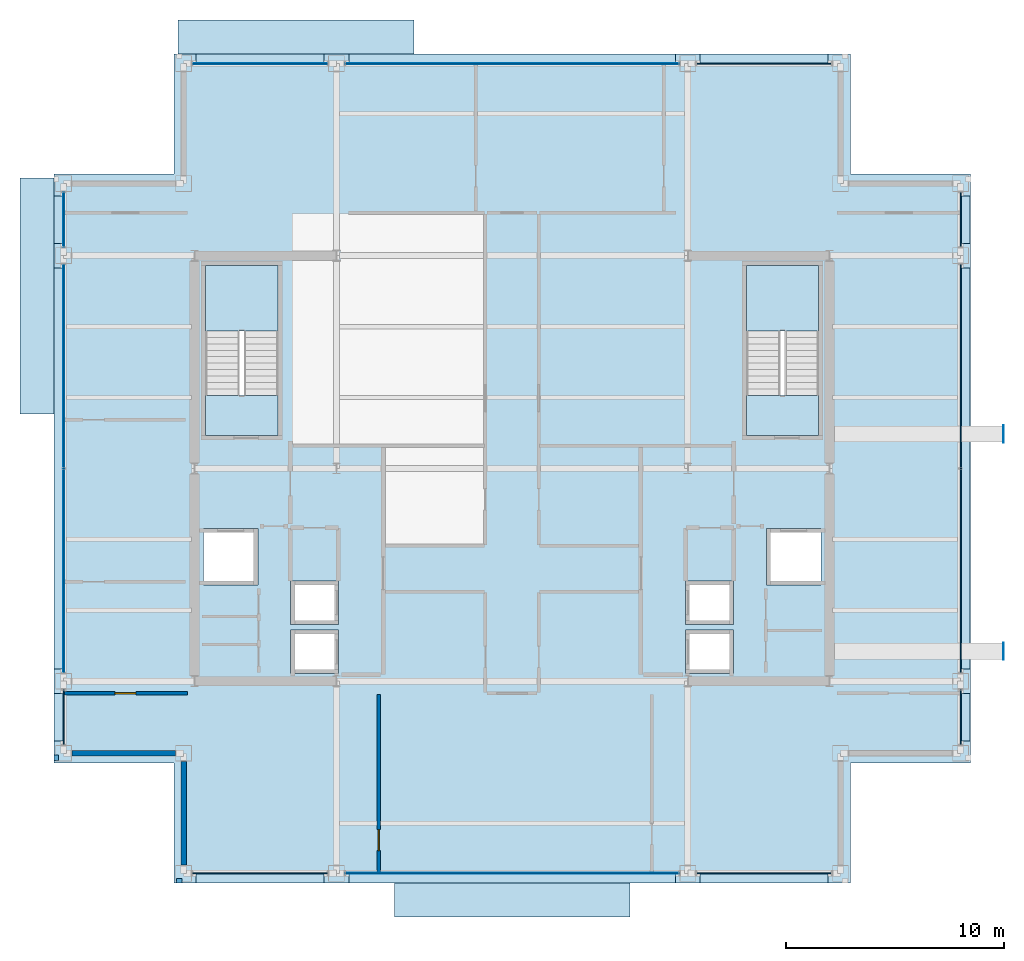
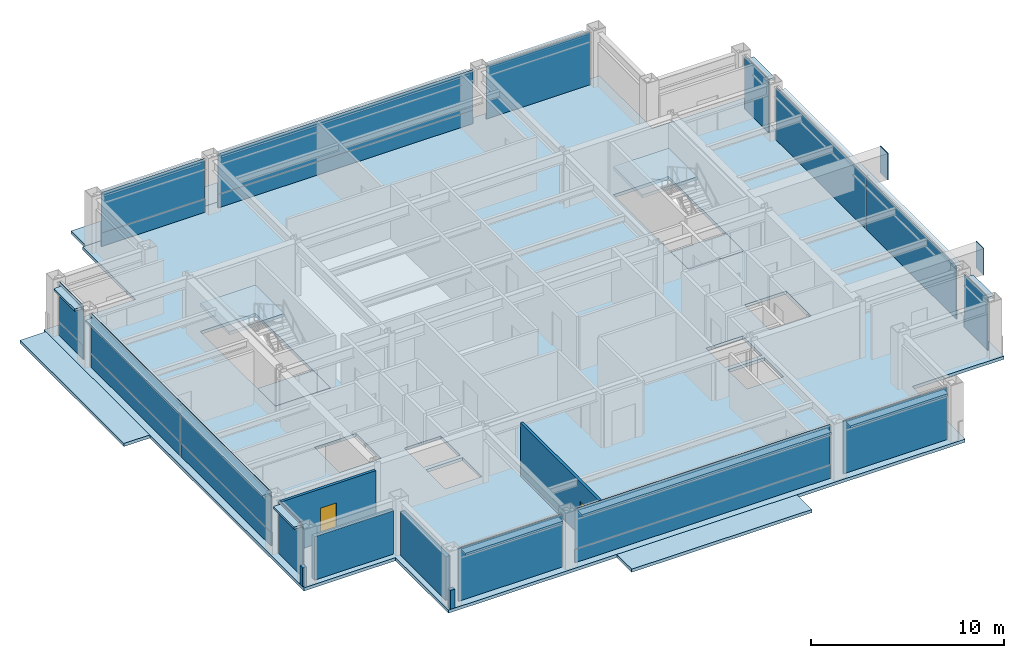
# One storey, part 22 of 26: 34 plates, 8 slabs, 6 walls, 2 doors, 2 openings, 14 elements without a shape of their own.
"""IFC4 building model written with IfcOpenShell, lengths in metres."""

from ifc_helpers import new_model, si_unit, direction, frame, frame_2d, origin, origin_2d, place, context, subcontext, project, spatial, polyline, rectangle, outline, extrude, material, layer, layer_set, type_object, element, fill, aggregate, save


model = new_model("IFC4")

# Units and contexts
model_context = context("Model", 3, precision=1e-05, world=origin(), true_north=direction((0.0, 1.0)))
body_context = subcontext(model_context, "Body", "Model", "MODEL_VIEW")
ifc_project = project(units=[si_unit("LENGTHUNIT", "METRE"), si_unit("AREAUNIT", "SQUARE_METRE"), si_unit("VOLUMEUNIT", "CUBIC_METRE"), si_unit("PLANEANGLEUNIT", "RADIAN"), si_unit("MASSUNIT", "GRAM", prefix="KILO")], contexts=[model_context])

# Site, building, storey
site_placement = place(None, origin())
site = spatial("IfcSite", under=ifc_project, at=site_placement, CompositionType="ELEMENT")
building_placement = place(site_placement, origin())
building = spatial("IfcBuilding", under=site, at=building_placement, Name="Brelmoor Portico Tower", CompositionType="ELEMENT")
storey_placement = place(building_placement, frame((0.0, 0.0, 180.300048828125)))
storey = spatial("IfcBuildingStorey", under=building, at=storey_placement, Name="L47", CompositionType="ELEMENT", Elevation=180.300048828125)

# Plates
ifc_material_1 = material(Name="Steel Q355B", Category="steel")
ifc_layer_1 = layer(ifc_material_1, 0.044921875)
ifc_layer_set_1 = layer_set([ifc_layer_1], Name="Steel Q355B")
plate_type_1 = type_object("IfcPlateType", Name="PT-CAP-650", PredefinedType="SHEET", material=ifc_layer_set_1)
for number, where, z_axis, x_axis, name in (
    (1, (22.52001953125, -8.3798828125, 1.72021484375), (0.0, 0.0, 1.0), (1.0, 0.0, 0.0), "L47 Picture-Frame Cantilever End Cap Plate PFB-01"),
    (2, (22.52001953125, 1.580078125, 1.72021484375), (0.0, 0.0, 1.0), (1.0, 0.0, 0.0), "L47 Picture-Frame Cantilever End Cap Plate PFB-02"),
):
    element("IfcPlate", number, at=place(storey_placement, frame(where, z_axis=z_axis, x_axis=x_axis)), inside=storey, type_object=plate_type_1, Name=name, PredefinedType="SHEET", context=body_context, shape_type="SweptSolid", body=[
        extrude(rectangle(XDim=0.0400390625, YDim=0.7900390625, at=origin_2d()), origin(), (0.0, 0.0, 1.0), 1.699951171875),
    ])

# Curtain wall, plate
ifc_material_2 = material(Name="Anodised Aluminium Alloy 6063-T6", Category="aluminium")
ifc_layer_2 = layer(ifc_material_2, 0.179931640625)
ifc_layer_set_2 = layer_set([ifc_layer_2], Name="Anodised Aluminium Alloy 6063-T6")
curtain_wall_type_1 = type_object("IfcCurtainWallType", Name="CW-TOWER-Z3", PredefinedType="NOTDEFINED", material=ifc_layer_set_2)
curtain_wall_1_placement = place(storey_placement, origin())
curtain_wall_1 = element("IfcCurtainWall", 3, at=curtain_wall_1_placement, inside=storey, type_object=curtain_wall_type_1, Name="L47 Curtain Wall CW-L47-01-2", PredefinedType="NOTDEFINED")
ifc_material_3 = material(Name="Double-Silver Low-E Insulated Glazing", Category="glass")
ifc_layer_3 = layer(ifc_material_3, 0.035888671875)
ifc_layer_set_3 = layer_set([ifc_layer_3], Name="Double-Silver Low-E Insulated Glazing")
plate_type_2 = type_object("IfcPlateType", Name="PT-CW-GLASS", PredefinedType="CURTAIN_PANEL", material=ifc_layer_set_3)
plate_1_placement = place(storey_placement, frame((0.0, -18.550048828125, 0.85009765625), z_axis=(0.0, 0.0, 1.0), x_axis=(1.0, 0.0, 0.0)))
plate_1 = element("IfcPlate", 4, at=plate_1_placement, type_object=plate_type_2, Name="CW-L47-01-2 Vision Glass Panel 00", PredefinedType="CURTAIN_PANEL", context=body_context, shape_type="SweptSolid", body=[
    extrude(rectangle(XDim=15.300048828125, YDim=0.035888671875, at=origin_2d()), origin(), (0.0, 0.0, 1.0), 2.550048828125),
])

curtain_wall_2_placement = place(storey_placement, origin())
curtain_wall_2 = element("IfcCurtainWall", 5, at=curtain_wall_2_placement, inside=storey, type_object=curtain_wall_type_1, Name="L47 Curtain Wall CW-L47-02-1", PredefinedType="NOTDEFINED")
plate_2_placement = place(storey_placement, frame((-11.550048828125, 18.550048828125, 0.85009765625), z_axis=(0.0, 0.0, 1.0), x_axis=(1.0, 0.0, 0.0)))
plate_2 = element("IfcPlate", 6, at=plate_2_placement, type_object=plate_type_2, Name="CW-L47-02-1 Vision Glass Panel 00", PredefinedType="CURTAIN_PANEL", context=body_context, shape_type="SweptSolid", body=[
    extrude(rectangle(XDim=6.199951171875, YDim=0.035888671875, at=origin_2d()), origin(), (0.0, 0.0, 1.0), 2.550048828125),
])

curtain_wall_3_placement = place(storey_placement, origin())
curtain_wall_3 = element("IfcCurtainWall", 7, at=curtain_wall_3_placement, inside=storey, type_object=curtain_wall_type_1, Name="L47 Curtain Wall CW-L47-02-2", PredefinedType="NOTDEFINED")
plate_3_placement = place(storey_placement, frame((0.0, 18.550048828125, 0.85009765625), z_axis=(0.0, 0.0, 1.0), x_axis=(1.0, 0.0, 0.0)))
plate_3 = element("IfcPlate", 8, at=plate_3_placement, type_object=plate_type_2, Name="CW-L47-02-2 Vision Glass Panel 00", PredefinedType="CURTAIN_PANEL", context=body_context, shape_type="SweptSolid", body=[
    extrude(rectangle(XDim=15.300048828125, YDim=0.035888671875, at=origin_2d()), origin(), (0.0, 0.0, 1.0), 2.550048828125),
])

# Curtain wall, plates
curtain_wall_4_placement = place(storey_placement, origin())
curtain_wall_4 = element("IfcCurtainWall", 9, at=curtain_wall_4_placement, inside=storey, type_object=curtain_wall_type_1, Name="L47 Curtain Wall CW-L47-03-2", PredefinedType="NOTDEFINED")
plate_4_placement = place(storey_placement, frame((-20.550048828125, -4.6826171875, 0.85009765625), z_axis=(0.0, 0.0, 1.0), x_axis=(0.0, 1.0, 0.0)))
plate_4 = element("IfcPlate", 10, at=plate_4_placement, type_object=plate_type_2, Name="CW-L47-03-2 Vision Glass Panel 00", PredefinedType="CURTAIN_PANEL", context=body_context, shape_type="SweptSolid", body=[
    extrude(rectangle(XDim=9.3349609375, YDim=0.035888671875, at=origin_2d()), origin(), (0.0, 0.0, 1.0), 2.550048828125),
])
plate_5_placement = place(storey_placement, frame((-20.550048828125, 4.6826171875, 0.85009765625), z_axis=(0.0, 0.0, 1.0), x_axis=(0.0, 1.0, 0.0)))
plate_5 = element("IfcPlate", 11, at=plate_5_placement, type_object=plate_type_2, Name="CW-L47-03-2 Vision Glass Panel 01", PredefinedType="CURTAIN_PANEL", context=body_context, shape_type="SweptSolid", body=[
    extrude(rectangle(XDim=9.3349609375, YDim=0.035888671875, at=origin_2d()), origin(), (0.0, 0.0, 1.0), 2.550048828125),
])

# Curtain wall, plate
curtain_wall_5_placement = place(storey_placement, origin())
curtain_wall_5 = element("IfcCurtainWall", 12, at=curtain_wall_5_placement, inside=storey, type_object=curtain_wall_type_1, Name="L47 Curtain Wall CW-L47-03-3", PredefinedType="NOTDEFINED")
plate_6_placement = place(storey_placement, frame((-20.550048828125, 11.39990234375, 0.85009765625), z_axis=(0.0, 0.0, 1.0), x_axis=(0.0, 1.0, 0.0)))
plate_6 = element("IfcPlate", 13, at=plate_6_placement, type_object=plate_type_2, Name="CW-L47-03-3 Vision Glass Panel 00", PredefinedType="CURTAIN_PANEL", context=body_context, shape_type="SweptSolid", body=[
    extrude(rectangle(XDim=2.5, YDim=0.035888671875, at=origin_2d()), origin(), (0.0, 0.0, 1.0), 2.550048828125),
])

ifc_layer_4 = layer(ifc_material_2, 0.179931640625)
ifc_layer_set_4 = layer_set([ifc_layer_4], Name="Anodised Aluminium Alloy 6063-T6")
curtain_wall_type_2 = type_object("IfcCurtainWallType", Name="CW-TOWER-Z3-XB", PredefinedType="NOTDEFINED", material=ifc_layer_set_4)
curtain_wall_6_placement = place(storey_placement, origin())
curtain_wall_6 = element("IfcCurtainWall", 14, at=curtain_wall_6_placement, inside=storey, type_object=curtain_wall_type_2, Name="L47 Curtain Wall CW-L47-01-1", PredefinedType="NOTDEFINED")
ifc_material_4 = material(Name="Pale Champagne Anodised Aluminium Panel", Category="aluminium")
ifc_layer_5 = layer(ifc_material_4, 0.050048828125)
ifc_layer_set_5 = layer_set([ifc_layer_5], Name="Pale Champagne Anodised Aluminium Panel")
plate_type_3 = type_object("IfcPlateType", Name="PT-CW-SPANDREL", PredefinedType="SHEET", material=ifc_layer_set_5)
plate_7_placement = place(storey_placement, frame((-11.550048828125, -18.550048828125, 0.0), z_axis=(0.0, 0.0, 1.0), x_axis=(1.0, 0.0, 0.0)))
plate_7 = element("IfcPlate", 15, at=plate_7_placement, type_object=plate_type_3, Name="CW-L47-01-1 Spandrel Panel 00", PredefinedType="SHEET", context=body_context, shape_type="SweptSolid", body=[
    extrude(rectangle(XDim=6.199951171875, YDim=0.050048828125, at=origin_2d()), origin(), (0.0, 0.0, 1.0), 3.33740234375),
])
aggregate(curtain_wall_6, [plate_7])

# Plate
plate_8_placement = place(storey_placement, frame((0.0, -18.550048828125, 0.0), z_axis=(0.0, 0.0, 1.0), x_axis=(1.0, 0.0, 0.0)))
plate_8 = element("IfcPlate", 16, at=plate_8_placement, type_object=plate_type_3, Name="CW-L47-01-2 Spandrel Panel 00", PredefinedType="SHEET", context=body_context, shape_type="SweptSolid", body=[
    extrude(rectangle(XDim=15.300048828125, YDim=0.050048828125, at=origin_2d()), origin(), (0.0, 0.0, 1.0), 0.85009765625),
])

aggregate(curtain_wall_1, [plate_8, plate_1])

# Curtain wall, plate
curtain_wall_7_placement = place(storey_placement, origin())
curtain_wall_7 = element("IfcCurtainWall", 17, at=curtain_wall_7_placement, inside=storey, type_object=curtain_wall_type_2, Name="L47 Curtain Wall CW-L47-01-3", PredefinedType="NOTDEFINED")
plate_9_placement = place(storey_placement, frame((11.550048828125, -18.550048828125, 0.0), z_axis=(0.0, 0.0, 1.0), x_axis=(1.0, 0.0, 0.0)))
plate_9 = element("IfcPlate", 18, at=plate_9_placement, type_object=plate_type_3, Name="CW-L47-01-3 Spandrel Panel 00", PredefinedType="SHEET", context=body_context, shape_type="SweptSolid", body=[
    extrude(rectangle(XDim=6.199951171875, YDim=0.050048828125, at=origin_2d()), origin(), (0.0, 0.0, 1.0), 3.33740234375),
])
aggregate(curtain_wall_7, [plate_9])

# Plate
plate_10_placement = place(storey_placement, frame((-11.550048828125, 18.550048828125, 0.0), z_axis=(0.0, 0.0, 1.0), x_axis=(1.0, 0.0, 0.0)))
plate_10 = element("IfcPlate", 19, at=plate_10_placement, type_object=plate_type_3, Name="CW-L47-02-1 Spandrel Panel 00", PredefinedType="SHEET", context=body_context, shape_type="SweptSolid", body=[
    extrude(rectangle(XDim=6.199951171875, YDim=0.050048828125, at=origin_2d()), origin(), (0.0, 0.0, 1.0), 0.85009765625),
])

aggregate(curtain_wall_2, [plate_10, plate_2])

plate_11_placement = place(storey_placement, frame((0.0, 18.550048828125, 0.0), z_axis=(0.0, 0.0, 1.0), x_axis=(1.0, 0.0, 0.0)))
plate_11 = element("IfcPlate", 20, at=plate_11_placement, type_object=plate_type_3, Name="CW-L47-02-2 Spandrel Panel 00", PredefinedType="SHEET", context=body_context, shape_type="SweptSolid", body=[
    extrude(rectangle(XDim=15.300048828125, YDim=0.050048828125, at=origin_2d()), origin(), (0.0, 0.0, 1.0), 0.85009765625),
])

aggregate(curtain_wall_3, [plate_11, plate_3])

# Curtain wall, plate
curtain_wall_8_placement = place(storey_placement, origin())
curtain_wall_8 = element("IfcCurtainWall", 21, at=curtain_wall_8_placement, inside=storey, type_object=curtain_wall_type_2, Name="L47 Curtain Wall CW-L47-02-3", PredefinedType="NOTDEFINED")
plate_12_placement = place(storey_placement, frame((11.550048828125, 18.550048828125, 0.0), z_axis=(0.0, 0.0, 1.0), x_axis=(1.0, 0.0, 0.0)))
plate_12 = element("IfcPlate", 22, at=plate_12_placement, type_object=plate_type_3, Name="CW-L47-02-3 Spandrel Panel 00", PredefinedType="SHEET", context=body_context, shape_type="SweptSolid", body=[
    extrude(rectangle(XDim=6.199951171875, YDim=0.050048828125, at=origin_2d()), origin(), (0.0, 0.0, 1.0), 3.33740234375),
])
aggregate(curtain_wall_8, [plate_12])

curtain_wall_9_placement = place(storey_placement, origin())
curtain_wall_9 = element("IfcCurtainWall", 23, at=curtain_wall_9_placement, inside=storey, type_object=curtain_wall_type_2, Name="L47 Curtain Wall CW-L47-03-1", PredefinedType="NOTDEFINED")
plate_13_placement = place(storey_placement, frame((-20.550048828125, -11.39990234375, 0.0), z_axis=(0.0, 0.0, 1.0), x_axis=(0.0, 1.0, 0.0)))
plate_13 = element("IfcPlate", 24, at=plate_13_placement, type_object=plate_type_3, Name="CW-L47-03-1 Spandrel Panel 00", PredefinedType="SHEET", context=body_context, shape_type="SweptSolid", body=[
    extrude(rectangle(XDim=2.5, YDim=0.050048828125, at=origin_2d()), origin(), (0.0, 0.0, 1.0), 3.33740234375),
])
aggregate(curtain_wall_9, [plate_13])

# Plate
plate_14_placement = place(storey_placement, frame((-20.550048828125, -4.6826171875, 0.0), z_axis=(0.0, 0.0, 1.0), x_axis=(0.0, 1.0, 0.0)))
plate_14 = element("IfcPlate", 25, at=plate_14_placement, type_object=plate_type_3, Name="CW-L47-03-2 Spandrel Panel 00", PredefinedType="SHEET", context=body_context, shape_type="SweptSolid", body=[
    extrude(rectangle(XDim=9.3349609375, YDim=0.050048828125, at=origin_2d()), origin(), (0.0, 0.0, 1.0), 0.85009765625),
])

plate_15_placement = place(storey_placement, frame((-20.550048828125, 4.6826171875, 0.0), z_axis=(0.0, 0.0, 1.0), x_axis=(0.0, 1.0, 0.0)))
plate_15 = element("IfcPlate", 26, at=plate_15_placement, type_object=plate_type_3, Name="CW-L47-03-2 Spandrel Panel 01", PredefinedType="SHEET", context=body_context, shape_type="SweptSolid", body=[
    extrude(rectangle(XDim=9.3349609375, YDim=0.050048828125, at=origin_2d()), origin(), (0.0, 0.0, 1.0), 0.85009765625),
])

aggregate(curtain_wall_4, [plate_14, plate_4, plate_15, plate_5])

plate_16_placement = place(storey_placement, frame((-20.550048828125, 11.39990234375, 0.0), z_axis=(0.0, 0.0, 1.0), x_axis=(0.0, 1.0, 0.0)))
plate_16 = element("IfcPlate", 27, at=plate_16_placement, type_object=plate_type_3, Name="CW-L47-03-3 Spandrel Panel 00", PredefinedType="SHEET", context=body_context, shape_type="SweptSolid", body=[
    extrude(rectangle(XDim=2.5, YDim=0.050048828125, at=origin_2d()), origin(), (0.0, 0.0, 1.0), 0.85009765625),
])

aggregate(curtain_wall_5, [plate_16, plate_6])

# Curtain wall, plate
curtain_wall_10_placement = place(storey_placement, origin())
curtain_wall_10 = element("IfcCurtainWall", 28, at=curtain_wall_10_placement, inside=storey, type_object=curtain_wall_type_2, Name="L47 Curtain Wall CW-L47-04-1", PredefinedType="NOTDEFINED")
plate_17_placement = place(storey_placement, frame((20.550048828125, -11.39990234375, 0.0), z_axis=(0.0, 0.0, 1.0), x_axis=(0.0, 1.0, 0.0)))
plate_17 = element("IfcPlate", 29, at=plate_17_placement, type_object=plate_type_3, Name="CW-L47-04-1 Spandrel Panel 00", PredefinedType="SHEET", context=body_context, shape_type="SweptSolid", body=[
    extrude(rectangle(XDim=2.5, YDim=0.050048828125, at=origin_2d()), origin(), (0.0, 0.0, 1.0), 3.33740234375),
])
aggregate(curtain_wall_10, [plate_17])

# Curtain wall, plates
curtain_wall_11_placement = place(storey_placement, origin())
curtain_wall_11 = element("IfcCurtainWall", 30, at=curtain_wall_11_placement, inside=storey, type_object=curtain_wall_type_2, Name="L47 Curtain Wall CW-L47-04-2", PredefinedType="NOTDEFINED")
plate_18_placement = place(storey_placement, frame((20.550048828125, -4.6826171875, 0.0), z_axis=(0.0, 0.0, 1.0), x_axis=(0.0, 1.0, 0.0)))
plate_18 = element("IfcPlate", 31, at=plate_18_placement, type_object=plate_type_3, Name="CW-L47-04-2 Spandrel Panel 00", PredefinedType="SHEET", context=body_context, shape_type="SweptSolid", body=[
    extrude(rectangle(XDim=9.3349609375, YDim=0.050048828125, at=origin_2d()), origin(), (0.0, 0.0, 1.0), 3.33740234375),
])
plate_19_placement = place(storey_placement, frame((20.550048828125, 4.6826171875, 0.0), z_axis=(0.0, 0.0, 1.0), x_axis=(0.0, 1.0, 0.0)))
plate_19 = element("IfcPlate", 32, at=plate_19_placement, type_object=plate_type_3, Name="CW-L47-04-2 Spandrel Panel 01", PredefinedType="SHEET", context=body_context, shape_type="SweptSolid", body=[
    extrude(rectangle(XDim=9.3349609375, YDim=0.050048828125, at=origin_2d()), origin(), (0.0, 0.0, 1.0), 3.33740234375),
])
aggregate(curtain_wall_11, [plate_18, plate_19])

# Curtain wall, plate
curtain_wall_12_placement = place(storey_placement, origin())
curtain_wall_12 = element("IfcCurtainWall", 33, at=curtain_wall_12_placement, inside=storey, type_object=curtain_wall_type_2, Name="L47 Curtain Wall CW-L47-04-3", PredefinedType="NOTDEFINED")
plate_20_placement = place(storey_placement, frame((20.550048828125, 11.39990234375, 0.0), z_axis=(0.0, 0.0, 1.0), x_axis=(0.0, 1.0, 0.0)))
plate_20 = element("IfcPlate", 34, at=plate_20_placement, type_object=plate_type_3, Name="CW-L47-04-3 Spandrel Panel 00", PredefinedType="SHEET", context=body_context, shape_type="SweptSolid", body=[
    extrude(rectangle(XDim=2.5, YDim=0.050048828125, at=origin_2d()), origin(), (0.0, 0.0, 1.0), 3.33740234375),
])
aggregate(curtain_wall_12, [plate_20])

# Plates
ifc_material_5 = material(Name="Pale Champagne Perforated Aluminium Solar Screen", Category="aluminium")
ifc_layer_6 = layer(ifc_material_5, 0.054931640625)
ifc_layer_set_6 = layer_set([ifc_layer_6], Name="Pale Champagne Perforated Aluminium Solar Screen")
plate_type_4 = type_object("IfcPlateType", Name="PT-SOLAR-LOUVRE", PredefinedType="SHEET", material=ifc_layer_set_6)
plate_21_placement = place(storey_placement, frame((-11.550048828125, -18.760009765625, 3.08984375), z_axis=(0.0, 0.0, 1.0), x_axis=(1.0, 0.0, 0.0)))
element("IfcPlate", 35, at=plate_21_placement, inside=storey, type_object=plate_type_4, Name="CW-L47-01-1 Caribbean Brise-Soleil Solar Screen", PredefinedType="SHEET", context=body_context, shape_type="SweptSolid", body=[
    extrude(rectangle(XDim=5.8701171875, YDim=0.4599609375, at=origin_2d()), origin(), (0.0, 0.0, 1.0), 0.139892578125),
])
plate_22_placement = place(storey_placement, frame((0.0, -18.760009765625, 3.08984375), z_axis=(0.0, 0.0, 1.0), x_axis=(1.0, 0.0, 0.0)))
element("IfcPlate", 36, at=plate_22_placement, inside=storey, type_object=plate_type_4, Name="CW-L47-01-2 Caribbean Brise-Soleil Solar Screen", PredefinedType="SHEET", context=body_context, shape_type="SweptSolid", body=[
    extrude(rectangle(XDim=14.969970703125, YDim=0.4599609375, at=origin_2d()), origin(), (0.0, 0.0, 1.0), 0.139892578125),
])
for number, where, z_axis, x_axis, name in (
    (37, (11.550048828125, -18.760009765625, 3.08984375), (0.0, 0.0, 1.0), (1.0, 0.0, 0.0), "CW-L47-01-3 Caribbean Brise-Soleil Solar Screen"),
    (38, (-11.550048828125, 18.760009765625, 3.08984375), (0.0, 0.0, 1.0), (1.0, 0.0, 0.0), "CW-L47-02-1 Caribbean Brise-Soleil Solar Screen"),
):
    element("IfcPlate", number, at=place(storey_placement, frame(where, z_axis=z_axis, x_axis=x_axis)), inside=storey, type_object=plate_type_4, Name=name, PredefinedType="SHEET", context=body_context, shape_type="SweptSolid", body=[
        extrude(rectangle(XDim=5.8701171875, YDim=0.4599609375, at=origin_2d()), origin(), (0.0, 0.0, 1.0), 0.139892578125),
    ])
plate_23_placement = place(storey_placement, frame((0.0, 18.760009765625, 3.08984375), z_axis=(0.0, 0.0, 1.0), x_axis=(1.0, 0.0, 0.0)))
element("IfcPlate", 39, at=plate_23_placement, inside=storey, type_object=plate_type_4, Name="CW-L47-02-2 Caribbean Brise-Soleil Solar Screen", PredefinedType="SHEET", context=body_context, shape_type="SweptSolid", body=[
    extrude(rectangle(XDim=14.969970703125, YDim=0.4599609375, at=origin_2d()), origin(), (0.0, 0.0, 1.0), 0.139892578125),
])
plate_24_placement = place(storey_placement, frame((11.550048828125, 18.760009765625, 3.08984375), z_axis=(0.0, 0.0, 1.0), x_axis=(1.0, 0.0, 0.0)))
element("IfcPlate", 40, at=plate_24_placement, inside=storey, type_object=plate_type_4, Name="CW-L47-02-3 Caribbean Brise-Soleil Solar Screen", PredefinedType="SHEET", context=body_context, shape_type="SweptSolid", body=[
    extrude(rectangle(XDim=5.8701171875, YDim=0.4599609375, at=origin_2d()), origin(), (0.0, 0.0, 1.0), 0.139892578125),
])
plate_25_placement = place(storey_placement, frame((-20.760009765625, -11.39990234375, 3.08984375), z_axis=(0.0, 0.0, 1.0), x_axis=(0.0, 1.0, 0.0)))
element("IfcPlate", 41, at=plate_25_placement, inside=storey, type_object=plate_type_4, Name="CW-L47-03-1 Caribbean Brise-Soleil Solar Screen", PredefinedType="SHEET", context=body_context, shape_type="SweptSolid", body=[
    extrude(rectangle(XDim=2.169921875, YDim=0.4599609375, at=origin_2d()), origin(), (0.0, 0.0, 1.0), 0.139892578125),
])
plate_26_placement = place(storey_placement, frame((-20.760009765625, 0.0, 3.08984375), z_axis=(0.0, 0.0, 1.0), x_axis=(0.0, 1.0, 0.0)))
element("IfcPlate", 42, at=plate_26_placement, inside=storey, type_object=plate_type_4, Name="CW-L47-03-2 Caribbean Brise-Soleil Solar Screen", PredefinedType="SHEET", context=body_context, shape_type="SweptSolid", body=[
    extrude(rectangle(XDim=18.3701171875, YDim=0.4599609375, at=origin_2d()), origin(), (0.0, 0.0, 1.0), 0.139892578125),
])
for number, where, z_axis, x_axis, name in (
    (43, (-20.760009765625, 11.39990234375, 3.08984375), (0.0, 0.0, 1.0), (0.0, 1.0, 0.0), "CW-L47-03-3 Caribbean Brise-Soleil Solar Screen"),
    (44, (20.760009765625, -11.39990234375, 3.08984375), (0.0, 0.0, 1.0), (0.0, 1.0, 0.0), "CW-L47-04-1 Caribbean Brise-Soleil Solar Screen"),
):
    element("IfcPlate", number, at=place(storey_placement, frame(where, z_axis=z_axis, x_axis=x_axis)), inside=storey, type_object=plate_type_4, Name=name, PredefinedType="SHEET", context=body_context, shape_type="SweptSolid", body=[
        extrude(rectangle(XDim=2.169921875, YDim=0.4599609375, at=origin_2d()), origin(), (0.0, 0.0, 1.0), 0.139892578125),
    ])
plate_27_placement = place(storey_placement, frame((20.760009765625, 0.0, 3.08984375), z_axis=(0.0, 0.0, 1.0), x_axis=(0.0, 1.0, 0.0)))
element("IfcPlate", 45, at=plate_27_placement, inside=storey, type_object=plate_type_4, Name="CW-L47-04-2 Caribbean Brise-Soleil Solar Screen", PredefinedType="SHEET", context=body_context, shape_type="SweptSolid", body=[
    extrude(rectangle(XDim=18.3701171875, YDim=0.4599609375, at=origin_2d()), origin(), (0.0, 0.0, 1.0), 0.139892578125),
])
plate_28_placement = place(storey_placement, frame((20.760009765625, 11.39990234375, 3.08984375), z_axis=(0.0, 0.0, 1.0), x_axis=(0.0, 1.0, 0.0)))
element("IfcPlate", 46, at=plate_28_placement, inside=storey, type_object=plate_type_4, Name="CW-L47-04-3 Caribbean Brise-Soleil Solar Screen", PredefinedType="SHEET", context=body_context, shape_type="SweptSolid", body=[
    extrude(rectangle(XDim=2.169921875, YDim=0.4599609375, at=origin_2d()), origin(), (0.0, 0.0, 1.0), 0.139892578125),
])

# Slab
ifc_material_6 = material(Name="Concrete C40", Category="concrete")
ifc_layer_7 = layer(ifc_material_6, 0.199951171875)
ifc_layer_set_7 = layer_set([ifc_layer_7], Name="Concrete C40")
slab_type_1 = type_object("IfcSlabType", Name="SL-FLOOR-200", PredefinedType="FLOOR", material=ifc_layer_set_7)
slab_1_placement = place(storey_placement, frame((0.0, 0.0, -0.199951171875)))
element("IfcSlab", 47, at=slab_1_placement, inside=storey, type_object=slab_type_1, Name="L47 Main Structural Floor Slab", PredefinedType="FLOOR", context=body_context, shape_type="SweptSolid", body=[
    extrude(outline(polyline([(-15.5, -19.0), (15.5, -19.0), (15.5, -13.5), (21.0, -13.5), (21.0, 13.5), (15.5, 13.5), (15.5, 19.0), (-15.5, 19.0), (-15.5, 13.5), (-21.0, 13.5), (-21.0, -13.5), (-15.5, -13.5), (-15.5, -19.0)]), holes=[polyline([(-10.72998046875, 1.5), (-10.72998046875, 9.300048828125), (-14.050048828125, 9.300048828125), (-14.050048828125, 1.5), (-10.72998046875, 1.5)]), polyline([(14.050048828125, 1.5), (14.050048828125, 9.300048828125), (10.72998046875, 9.300048828125), (10.72998046875, 1.5), (14.050048828125, 1.5)]), polyline([(-10.14990234375, -9.39990234375), (-7.949951171875, -9.39990234375), (-7.949951171875, -7.39990234375), (-10.14990234375, -7.39990234375), (-10.14990234375, -9.39990234375)]), polyline([(-10.14990234375, -7.14990234375), (-7.949951171875, -7.14990234375), (-7.949951171875, -5.14990234375), (-10.14990234375, -5.14990234375), (-10.14990234375, -7.14990234375)]), polyline([(7.949951171875, -9.39990234375), (10.14990234375, -9.39990234375), (10.14990234375, -7.39990234375), (7.949951171875, -7.39990234375), (7.949951171875, -9.39990234375)]), polyline([(7.949951171875, -7.14990234375), (10.14990234375, -7.14990234375), (10.14990234375, -5.14990234375), (7.949951171875, -5.14990234375), (7.949951171875, -7.14990234375)]), polyline([(-14.14990234375, -5.35009765625), (-11.64990234375, -5.35009765625), (-11.64990234375, -2.75), (-14.14990234375, -2.75), (-14.14990234375, -5.35009765625)]), polyline([(11.64990234375, -5.35009765625), (14.14990234375, -5.35009765625), (14.14990234375, -2.75), (11.64990234375, -2.75), (11.64990234375, -5.35009765625)])]), origin(), (0.0, 0.0, 1.0), 0.199951171875),
])

# Stair, slab
stair_type_1 = type_object("IfcStairType", Name="ST-CORE-W", PredefinedType="HALF_TURN_STAIR", material=ifc_material_6)
stair_1_placement = place(storey_placement, origin())
stair_1 = element("IfcStair", 48, at=stair_1_placement, inside=storey, type_object=stair_type_1, Name="L47 Protected Core Exit Stair ST-W", PredefinedType="HALF_TURN_STAIR")
ifc_layer_8 = layer(ifc_material_6, 0.179931640625)
ifc_layer_set_8 = layer_set([ifc_layer_8], Name="Concrete C40")
slab_type_2 = type_object("IfcSlabType", Name="SL-LANDING-180", PredefinedType="LANDING", material=ifc_layer_set_8)
slab_2_placement = place(storey_placement, frame((0.0, 0.0, 1.599853515625)))
slab_2 = element("IfcSlab", 49, at=slab_2_placement, type_object=slab_type_2, Name="ST-W landing 1", PredefinedType="LANDING", context=body_context, shape_type="SweptSolid", body=[
    extrude(outline(polyline([(-10.72998046875, 6.300048828125), (-10.72998046875, 9.300048828125), (-14.050048828125, 9.300048828125), (-14.050048828125, 6.300048828125), (-10.72998046875, 6.300048828125)])), origin(), (0.0, 0.0, 1.0), 0.2001953125),
])
aggregate(stair_1, [slab_2])

stair_type_2 = type_object("IfcStairType", Name="ST-CORE-E", PredefinedType="HALF_TURN_STAIR", material=ifc_material_6)
stair_2_placement = place(storey_placement, origin())
stair_2 = element("IfcStair", 50, at=stair_2_placement, inside=storey, type_object=stair_type_2, Name="L47 Protected Core Exit Stair ST-E", PredefinedType="HALF_TURN_STAIR")
slab_3_placement = place(storey_placement, frame((0.0, 0.0, 1.599853515625)))
slab_3 = element("IfcSlab", 51, at=slab_3_placement, type_object=slab_type_2, Name="ST-E landing 1", PredefinedType="LANDING", context=body_context, shape_type="SweptSolid", body=[
    extrude(outline(polyline([(14.050048828125, 6.300048828125), (14.050048828125, 9.300048828125), (10.72998046875, 9.300048828125), (10.72998046875, 6.300048828125), (14.050048828125, 6.300048828125)])), origin(), (0.0, 0.0, 1.0), 0.2001953125),
])
aggregate(stair_2, [slab_3])

# Slabs
ifc_layer_9 = layer(ifc_material_6, 0.199951171875)
ifc_layer_set_9 = layer_set([ifc_layer_9], Name="Concrete C40")
slab_type_3 = type_object("IfcSlabType", Name="SL-ROOF-200", PredefinedType="ROOF", material=ifc_layer_set_9)
slab_4_placement = place(storey_placement, frame((0.0, 0.0, -0.199951171875)))
element("IfcSlab", 52, at=slab_4_placement, inside=storey, type_object=slab_type_3, Name="L47 Picture-Frame Top Hood Slab S", PredefinedType="ROOF", context=body_context, shape_type="SweptSolid", body=[
    extrude(outline(polyline([(-5.39990234375, -20.550048828125), (5.39990234375, -20.550048828125), (5.39990234375, -19.0), (-5.39990234375, -19.0), (-5.39990234375, -20.550048828125)])), origin(), (0.0, 0.0, 1.0), 0.199951171875),
])
slab_5_placement = place(storey_placement, frame((0.0, 0.0, -0.199951171875)))
element("IfcSlab", 53, at=slab_5_placement, inside=storey, type_object=slab_type_3, Name="L47 Picture-Frame Top Hood Slab N", PredefinedType="ROOF", context=body_context, shape_type="SweptSolid", body=[
    extrude(outline(polyline([(-15.300048828125, 19.0), (-4.5, 19.0), (-4.5, 20.550048828125), (-15.300048828125, 20.550048828125), (-15.300048828125, 19.0)])), origin(), (0.0, 0.0, 1.0), 0.199951171875),
])
slab_6_placement = place(storey_placement, frame((0.0, 0.0, -0.199951171875)))
element("IfcSlab", 54, at=slab_6_placement, inside=storey, type_object=slab_type_3, Name="L47 Picture-Frame Top Hood Slab W", PredefinedType="ROOF", context=body_context, shape_type="SweptSolid", body=[
    extrude(outline(polyline([(-22.550048828125, 2.5), (-21.0, 2.5), (-21.0, 13.300048828125), (-22.550048828125, 13.300048828125), (-22.550048828125, 2.5)])), origin(), (0.0, 0.0, 1.0), 0.199951171875),
])
ifc_layer_10 = layer(ifc_material_6, 0.199951171875)
ifc_layer_set_10 = layer_set([ifc_layer_10], Name="Concrete C40")
slab_type_4 = type_object("IfcSlabType", Name="SL-STAIR-FL200", PredefinedType="LANDING", material=ifc_layer_set_10)
slab_7_placement = place(storey_placement, frame((0.0, 0.0, -0.199951171875)))
element("IfcSlab", 55, at=slab_7_placement, inside=storey, type_object=slab_type_4, Name="L47 ST-W Structural Floor Landing Slab", PredefinedType="LANDING", context=body_context, shape_type="SweptSolid", body=[
    extrude(outline(polyline([(-10.72998046875, 1.5), (-10.72998046875, 3.35009765625), (-14.050048828125, 3.35009765625), (-14.050048828125, 1.5), (-10.72998046875, 1.5)])), origin(), (0.0, 0.0, 1.0), 0.199951171875),
])
slab_8_placement = place(storey_placement, frame((0.0, 0.0, -0.199951171875)))
element("IfcSlab", 56, at=slab_8_placement, inside=storey, type_object=slab_type_4, Name="L47 ST-E Structural Floor Landing Slab", PredefinedType="LANDING", context=body_context, shape_type="SweptSolid", body=[
    extrude(outline(polyline([(14.050048828125, 1.5), (14.050048828125, 3.35009765625), (10.72998046875, 3.35009765625), (10.72998046875, 1.5), (14.050048828125, 1.5)])), origin(), (0.0, 0.0, 1.0), 0.199951171875),
])

# Walls
ifc_material_7 = material(Name="Precast Concrete C40 Insulated Facade Wall", Category="concrete")
ifc_layer_11 = layer(ifc_material_7, 0.25)
ifc_layer_set_11 = layer_set([ifc_layer_11], Name="Precast Concrete C40 Insulated Facade Wall")
wall_type_1 = type_object("IfcWallType", Name="WL-EXT-250", PredefinedType="STANDARD", material=ifc_layer_set_11)
for number, where, z_axis, x_axis, name in (
    (57, (-20.1650390625, -13.050048828125, 0.0), (0.0, 0.0, 1.0), (1.0, 0.0, 0.0), "L47 Corner Notch Facade Wall NSWH1"),
    (58, (-15.050048828125, -18.1650390625, 0.0), (0.0, 0.0, 1.0), (0.0, 1.0, 0.0), "L47 Corner Notch Facade Wall NSWV1"),
):
    element("IfcWall", number, at=place(storey_placement, frame(where, z_axis=z_axis, x_axis=x_axis)), inside=storey, type_object=wall_type_1, Name=name, PredefinedType="STANDARD", context=body_context, shape_type="SweptSolid", body=[
        extrude(rectangle(XDim=4.72998046875, YDim=0.25, at=frame_2d((2.364990234375, 0.0))), origin(), (0.0, 0.0, 1.0), 2.75),
    ])
ifc_material_8 = material(Name="Concrete C40 Parapet Upstand", Category="concrete")
ifc_layer_12 = layer(ifc_material_8, 0.219970703125)
ifc_layer_set_12 = layer_set([ifc_layer_12], Name="Concrete C40 Parapet Upstand")
wall_type_2 = type_object("IfcWallType", Name="WL-PARAPET-220", PredefinedType="PARAPET", material=ifc_layer_set_12)
for number, where, z_axis, x_axis, name in (
    (59, (-15.389892578125, -18.889892578125, 0.0), (0.0, 0.0, 1.0), (1.0, 0.0, 0.0), "L47 Chamfer Vertex Parapet Pier SW1"),
    (60, (-20.889892578125, -13.389892578125, 0.0), (0.0, 0.0, 1.0), (0.0, 1.0, 0.0), "L47 Chamfer Vertex Parapet Pier SW2"),
):
    element("IfcWall", number, at=place(storey_placement, frame(where, z_axis=z_axis, x_axis=x_axis)), inside=storey, type_object=wall_type_2, Name=name, PredefinedType="PARAPET", context=body_context, shape_type="SweptSolid", body=[
        extrude(rectangle(XDim=0.269775390625, YDim=0.219970703125, at=frame_2d((0.134765625, 0.0))), origin(), (0.0, 0.0, 1.0), 1.199951171875),
    ])

# Wall, opening, door
ifc_material_9 = material(Name="Twin-Frame Acoustic Partition", Category="gypsum")
ifc_layer_13 = layer(ifc_material_9, 0.159912109375)
ifc_layer_set_13 = layer_set([ifc_layer_13], Name="Twin-Frame Acoustic Partition")
wall_type_3 = type_object("IfcWallType", Name="WL-PART-160", PredefinedType="PARTITIONING", material=ifc_layer_set_13)
wall_1_placement = place(storey_placement, frame((-6.120361328125, -18.56005859375, 0.0), z_axis=(0.0, 0.0, 1.0), x_axis=(0.0, 1.0, 0.0)))
wall_1 = element("IfcWall", 61, at=wall_1_placement, inside=storey, type_object=wall_type_3, Name="L47 South Suite Partition 1", PredefinedType="PARTITIONING", context=body_context, shape_type="SweptSolid", body=[
    extrude(rectangle(XDim=8.199951171875, YDim=0.159912109375, at=frame_2d((4.10009765625, 0.0))), origin(), (0.0, 0.0, 1.0), 3.39990234375),
])
opening_1_placement = place(wall_1_placement, frame((1.050048828125, 0.0, 0.0)))
opening_1 = element("IfcOpeningElement", 62, at=opening_1_placement, cuts=wall_1, Name="Opening D-IN2", PredefinedType="OPENING", context=body_context, shape_type="SweptSolid", body=[
    extrude(rectangle(XDim=0.9599609375, YDim=2.179931640625, at=frame_2d((0.47998046875, 1.08984375))), frame((0.0, 0.08984375, 0.0), z_axis=(0.0, -1.0, 0.0), x_axis=(1.0, 0.0, 0.0)), (0.0, 0.0, 1.0), 0.179931640625),
])
ifc_material_10 = material(Name="Lacquered Timber Suite Door", Category="wood")
door_type = type_object("IfcDoorType", Name="DR-INT-950", OperationType="NOTDEFINED", PredefinedType="DOOR", material=ifc_material_10)
door_1_placement = place(opening_1_placement, origin())
door_1 = element("IfcDoor", 63, at=door_1_placement, inside=storey, type_object=door_type, Name="D-2010 L47 South Suite Connecting Door 1", OperationType="SINGLE_SWING_RIGHT", OverallHeight=2.179931640625, OverallWidth=0.9599609375, PredefinedType="DOOR", context=body_context, shape_type="SweptSolid", body=[
    extrude(rectangle(XDim=0.9599609375, YDim=2.179931640625, at=frame_2d((0.47998046875, 1.08984375))), frame((0.0, 0.02490234375, 0.0), z_axis=(0.0, -1.0, 0.0), x_axis=(1.0, 0.0, 0.0)), (0.0, 0.0, 1.0), 0.050048828125),
])
fill(opening_1, door_1)

wall_2_placement = place(storey_placement, frame((-20.56005859375, -10.300048828125, 0.0), z_axis=(0.0, 0.0, 1.0), x_axis=(1.0, 0.0, 0.0)))
wall_2 = element("IfcWall", 64, at=wall_2_placement, inside=storey, type_object=wall_type_3, Name="L47 South Wing Closure WL", PredefinedType="PARTITIONING", context=body_context, shape_type="SweptSolid", body=[
    extrude(rectangle(XDim=5.68017578125, YDim=0.159912109375, at=frame_2d((2.840087890625, 0.0))), origin(), (0.0, 0.0, 1.0), 3.39990234375),
])
opening_2_placement = place(wall_2_placement, frame((2.360107421875, 0.0, 0.0)))
opening_2 = element("IfcOpeningElement", 65, at=opening_2_placement, cuts=wall_2, Name="Opening D-IN2", PredefinedType="OPENING", context=body_context, shape_type="SweptSolid", body=[
    extrude(rectangle(XDim=0.9599609375, YDim=2.179931640625, at=frame_2d((0.47998046875, 1.08984375))), frame((0.0, 0.08984375, 0.0), z_axis=(0.0, -1.0, 0.0), x_axis=(1.0, 0.0, 0.0)), (0.0, 0.0, 1.0), 0.179931640625),
])
door_2_placement = place(opening_2_placement, origin())
door_2 = element("IfcDoor", 66, at=door_2_placement, inside=storey, type_object=door_type, Name="D-2015 L47 WL Wing South Suite Door", OperationType="SINGLE_SWING_RIGHT", OverallHeight=2.179931640625, OverallWidth=0.9599609375, PredefinedType="DOOR", context=body_context, shape_type="SweptSolid", body=[
    extrude(rectangle(XDim=0.9599609375, YDim=2.179931640625, at=frame_2d((0.47998046875, 1.08984375))), frame((0.0, 0.02490234375, 0.0), z_axis=(0.0, -1.0, 0.0), x_axis=(1.0, 0.0, 0.0)), (0.0, 0.0, 1.0), 0.050048828125),
])
fill(opening_2, door_2)

save(model, "model.ifc")
